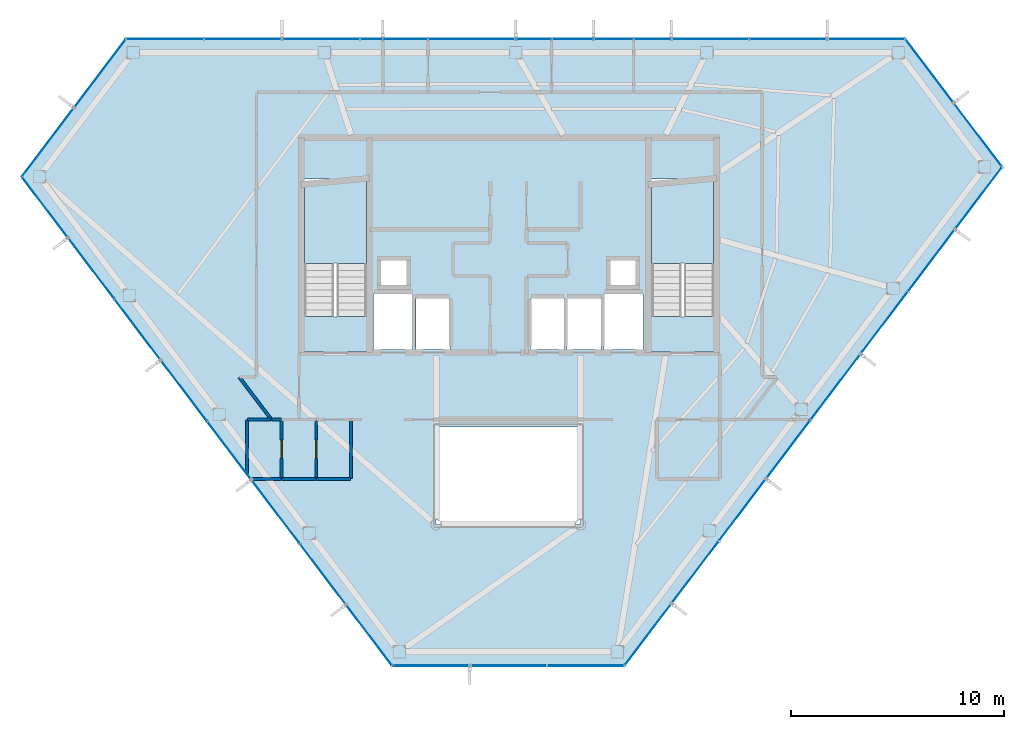
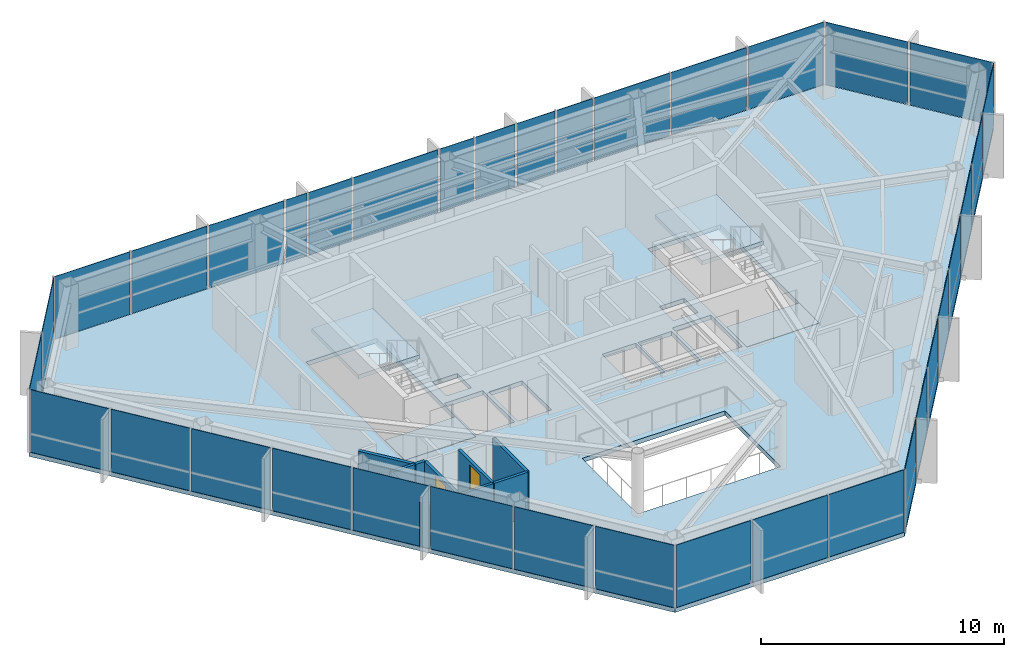
# One storey, part 21 of 25: 36 plates, 10 walls, 5 slabs, 2 doors, 2 openings, 8 elements without a shape of their own.
"""IFC4 building model written with IfcOpenShell, lengths in metres."""

from ifc_helpers import new_model, si_unit, direction, frame, frame_2d, origin, origin_2d, place, context, subcontext, project, spatial, polyline, rectangle, outline, extrude, material, layer, layer_set, type_object, element, fill, aggregate, save


model = new_model("IFC4")

# Units and contexts
model_context = context("Model", 3, precision=1e-05, world=origin(), true_north=direction((0.0, 1.0)))
body_context = subcontext(model_context, "Body", "Model", "MODEL_VIEW")
ifc_project = project(units=[si_unit("LENGTHUNIT", "METRE"), si_unit("AREAUNIT", "SQUARE_METRE"), si_unit("VOLUMEUNIT", "CUBIC_METRE"), si_unit("PLANEANGLEUNIT", "RADIAN"), si_unit("MASSUNIT", "GRAM", prefix="KILO")], contexts=[model_context])

# Site, building, storey
site_placement = place(None, origin())
site = spatial("IfcSite", under=ifc_project, at=site_placement, CompositionType="ELEMENT")
building_placement = place(site_placement, origin())
building = spatial("IfcBuilding", under=site, at=building_placement, Name="Zarrinselat Tower", CompositionType="ELEMENT")
storey_placement = place(building_placement, frame((0.0, 0.0, 242.760009765625)))
storey = spatial("IfcBuildingStorey", under=building, at=storey_placement, Name="L61", CompositionType="ELEMENT", Elevation=242.760009765625)

# Curtain wall, plates
ifc_material_1 = material(Name="Extruded Aluminium Alloy EN AW-6063 T6", Category="aluminium")
ifc_layer_1 = layer(ifc_material_1, 0.169921875)
ifc_layer_set_1 = layer_set([ifc_layer_1], Name="Extruded Aluminium Alloy EN AW-6063 T6")
curtain_wall_type = type_object("IfcCurtainWallType", Name="CWS-RES", PredefinedType="NOTDEFINED", material=ifc_layer_set_1)
curtain_wall_1_placement = place(storey_placement, origin())
curtain_wall_1 = element("IfcCurtainWall", 1, at=curtain_wall_1_placement, inside=storey, type_object=curtain_wall_type, Name="L61 Unitised Curtain Wall CW-L61-E01", PredefinedType="NOTDEFINED")
ifc_material_2 = material(Name="Double Low-E Laminated Solar Glass", Category="glass")
ifc_layer_2 = layer(ifc_material_2, 0.028076171875)
ifc_layer_set_2 = layer_set([ifc_layer_2], Name="Double Low-E Laminated Solar Glass")
plate_type = type_object("IfcPlateType", Name="PLT-CW-GL28", PredefinedType="CURTAIN_PANEL", material=ifc_layer_set_2)
plate_1_placement = place(storey_placement, frame((55.236083984375, 48.06103515625, 0.02001953125), z_axis=(0.0, 0.0, 1.0), x_axis=(-1.0, 0.0, 0.0)))
plate_1 = element("IfcPlate", 2, at=plate_1_placement, type_object=plate_type, Name="CW-L61-E01 Vision Glass Panel 1", PredefinedType="CURTAIN_PANEL", context=body_context, shape_type="SweptSolid", body=[
    extrude(rectangle(XDim=3.564697265625, YDim=0.028076171875, at=origin_2d()), origin(), (0.0, 0.0, 1.0), 3.139892578125),
])
plate_2_placement = place(storey_placement, frame((51.5712890625, 48.06103515625, 0.02001953125), z_axis=(0.0, 0.0, 1.0), x_axis=(-1.0, 0.0, 0.0)))
plate_2 = element("IfcPlate", 3, at=plate_2_placement, type_object=plate_type, Name="CW-L61-E01 Vision Glass Panel 2", PredefinedType="CURTAIN_PANEL", context=body_context, shape_type="SweptSolid", body=[
    extrude(rectangle(XDim=3.564697265625, YDim=0.028076171875, at=origin_2d()), origin(), (0.0, 0.0, 1.0), 3.139892578125),
])
plate_3_placement = place(storey_placement, frame((47.90673828125, 48.06103515625, 0.02001953125), z_axis=(0.0, 0.0, 1.0), x_axis=(-1.0, 0.0, 0.0)))
plate_3 = element("IfcPlate", 4, at=plate_3_placement, type_object=plate_type, Name="CW-L61-E01 Vision Glass Panel 3", PredefinedType="CURTAIN_PANEL", context=body_context, shape_type="SweptSolid", body=[
    extrude(rectangle(XDim=3.564697265625, YDim=0.028076171875, at=origin_2d()), origin(), (0.0, 0.0, 1.0), 3.139892578125),
])
plate_4_placement = place(storey_placement, frame((45.18701171875, 48.06103515625, 0.02001953125), z_axis=(0.0, 0.0, 1.0), x_axis=(-1.0, 0.0, 0.0)))
plate_4 = element("IfcPlate", 5, at=plate_4_placement, type_object=plate_type, Name="CW-L61-E01 Vision Glass Panel 4", PredefinedType="CURTAIN_PANEL", context=body_context, shape_type="SweptSolid", body=[
    extrude(rectangle(XDim=1.67431640625, YDim=0.028076171875, at=origin_2d()), origin(), (0.0, 0.0, 1.0), 3.139892578125),
])
plate_5_placement = place(storey_placement, frame((43.354736328125, 48.06103515625, 0.02001953125), z_axis=(0.0, 0.0, 1.0), x_axis=(-1.0, 0.0, 0.0)))
plate_5 = element("IfcPlate", 6, at=plate_5_placement, type_object=plate_type, Name="CW-L61-E01 Vision Glass Panel 5", PredefinedType="CURTAIN_PANEL", context=body_context, shape_type="SweptSolid", body=[
    extrude(rectangle(XDim=1.79052734375, YDim=0.028076171875, at=origin_2d()), origin(), (0.0, 0.0, 1.0), 3.139892578125),
])
plate_6_placement = place(storey_placement, frame((41.419677734375, 48.06103515625, 0.02001953125), z_axis=(0.0, 0.0, 1.0), x_axis=(-1.0, 0.0, 0.0)))
plate_6 = element("IfcPlate", 7, at=plate_6_placement, type_object=plate_type, Name="CW-L61-E01 Vision Glass Panel 6", PredefinedType="CURTAIN_PANEL", context=body_context, shape_type="SweptSolid", body=[
    extrude(rectangle(XDim=1.8798828125, YDim=0.028076171875, at=origin_2d()), origin(), (0.0, 0.0, 1.0), 3.139892578125),
])
plate_7_placement = place(storey_placement, frame((39.587158203125, 48.06103515625, 0.02001953125), z_axis=(0.0, 0.0, 1.0), x_axis=(-1.0, 0.0, 0.0)))
plate_7 = element("IfcPlate", 8, at=plate_7_placement, type_object=plate_type, Name="CW-L61-E01 Vision Glass Panel 7", PredefinedType="CURTAIN_PANEL", context=body_context, shape_type="SweptSolid", body=[
    extrude(rectangle(XDim=1.584716796875, YDim=0.028076171875, at=origin_2d()), origin(), (0.0, 0.0, 1.0), 3.139892578125),
])
plate_8_placement = place(storey_placement, frame((36.684326171875, 48.06103515625, 0.02001953125), z_axis=(0.0, 0.0, 1.0), x_axis=(-1.0, 0.0, 0.0)))
plate_8 = element("IfcPlate", 9, at=plate_8_placement, type_object=plate_type, Name="CW-L61-E01 Vision Glass Panel 8", PredefinedType="CURTAIN_PANEL", context=body_context, shape_type="SweptSolid", body=[
    extrude(rectangle(XDim=4.020751953125, YDim=0.028076171875, at=origin_2d()), origin(), (0.0, 0.0, 1.0), 3.139892578125),
])
plate_9_placement = place(storey_placement, frame((33.56201171875, 48.06103515625, 0.02001953125), z_axis=(0.0, 0.0, 1.0), x_axis=(-1.0, 0.0, 0.0)))
plate_9 = element("IfcPlate", 10, at=plate_9_placement, type_object=plate_type, Name="CW-L61-E01 Vision Glass Panel 9", PredefinedType="CURTAIN_PANEL", context=body_context, shape_type="SweptSolid", body=[
    extrude(rectangle(XDim=2.02392578125, YDim=0.028076171875, at=origin_2d()), origin(), (0.0, 0.0, 1.0), 3.139892578125),
])
plate_10_placement = place(storey_placement, frame((31.95751953125, 48.06103515625, 0.02001953125), z_axis=(0.0, 0.0, 1.0), x_axis=(-1.0, 0.0, 0.0)))
plate_10 = element("IfcPlate", 11, at=plate_10_placement, type_object=plate_type, Name="CW-L61-E01 Vision Glass Panel 10", PredefinedType="CURTAIN_PANEL", context=body_context, shape_type="SweptSolid", body=[
    extrude(rectangle(XDim=0.98486328125, YDim=0.028076171875, at=origin_2d()), origin(), (0.0, 0.0, 1.0), 3.139892578125),
])
plate_11_placement = place(storey_placement, frame((29.582763671875, 48.06103515625, 0.02001953125), z_axis=(0.0, 0.0, 1.0), x_axis=(-1.0, 0.0, 0.0)))
plate_11 = element("IfcPlate", 12, at=plate_11_placement, type_object=plate_type, Name="CW-L61-E01 Vision Glass Panel 11", PredefinedType="CURTAIN_PANEL", context=body_context, shape_type="SweptSolid", body=[
    extrude(rectangle(XDim=3.564697265625, YDim=0.028076171875, at=origin_2d()), origin(), (0.0, 0.0, 1.0), 3.139892578125),
])
plate_12_placement = place(storey_placement, frame((25.918212890625, 48.06103515625, 0.02001953125), z_axis=(0.0, 0.0, 1.0), x_axis=(-1.0, 0.0, 0.0)))
plate_12 = element("IfcPlate", 13, at=plate_12_placement, type_object=plate_type, Name="CW-L61-E01 Vision Glass Panel 12", PredefinedType="CURTAIN_PANEL", context=body_context, shape_type="SweptSolid", body=[
    extrude(rectangle(XDim=3.564697265625, YDim=0.028076171875, at=origin_2d()), origin(), (0.0, 0.0, 1.0), 3.139892578125),
])
plate_13_placement = place(storey_placement, frame((22.25341796875, 48.06103515625, 0.02001953125), z_axis=(0.0, 0.0, 1.0), x_axis=(-1.0, 0.0, 0.0)))
plate_13 = element("IfcPlate", 14, at=plate_13_placement, type_object=plate_type, Name="CW-L61-E01 Vision Glass Panel 13", PredefinedType="CURTAIN_PANEL", context=body_context, shape_type="SweptSolid", body=[
    extrude(rectangle(XDim=3.564697265625, YDim=0.028076171875, at=origin_2d()), origin(), (0.0, 0.0, 1.0), 3.139892578125),
])
aggregate(curtain_wall_1, [plate_1, plate_2, plate_3, plate_4, plate_5, plate_6, plate_7, plate_8, plate_9, plate_10, plate_11, plate_12, plate_13])

curtain_wall_2_placement = place(storey_placement, origin())
curtain_wall_2 = element("IfcCurtainWall", 15, at=curtain_wall_2_placement, inside=storey, type_object=curtain_wall_type, Name="L61 Unitised Curtain Wall CW-L61-E02", PredefinedType="NOTDEFINED")
plate_14_placement = place(storey_placement, frame((19.192626953125, 46.439697265625, 0.02001953125), z_axis=(0.0, 0.0, 1.0), x_axis=(-0.603859107785, -0.797091072554, 0.0)))
plate_14 = element("IfcPlate", 16, at=plate_14_placement, type_object=plate_type, Name="CW-L61-E02 Vision Glass Panel 1", PredefinedType="CURTAIN_PANEL", context=body_context, shape_type="SweptSolid", body=[
    extrude(rectangle(XDim=3.96826171875, YDim=0.028076171875, at=origin_2d()), origin(), (0.0, 0.0, 1.0), 3.139892578125),
])
plate_15_placement = place(storey_placement, frame((16.736083984375, 43.197021484375, 0.02001953125), z_axis=(0.0, 0.0, 1.0), x_axis=(-0.603859107785, -0.797091072554, 0.0)))
plate_15 = element("IfcPlate", 17, at=plate_15_placement, type_object=plate_type, Name="CW-L61-E02 Vision Glass Panel 2", PredefinedType="CURTAIN_PANEL", context=body_context, shape_type="SweptSolid", body=[
    extrude(rectangle(XDim=3.96826171875, YDim=0.028076171875, at=origin_2d()), origin(), (0.0, 0.0, 1.0), 3.139892578125),
])
aggregate(curtain_wall_2, [plate_14, plate_15])

curtain_wall_3_placement = place(storey_placement, origin())
curtain_wall_3 = element("IfcCurtainWall", 18, at=curtain_wall_3_placement, inside=storey, type_object=curtain_wall_type, Name="L61 Unitised Curtain Wall CW-L61-E03", PredefinedType="NOTDEFINED")
plate_16_placement = place(storey_placement, frame((16.597412109375, 40.137451171875, 0.02001953125), z_axis=(0.0, 0.0, 1.0), x_axis=(0.603857888062, -0.797091996588, 0.0)))
plate_16 = element("IfcPlate", 19, at=plate_16_placement, type_object=plate_type, Name="CW-L61-E03 Vision Glass Panel 1", PredefinedType="CURTAIN_PANEL", context=body_context, shape_type="SweptSolid", body=[
    extrude(rectangle(XDim=3.5087890625, YDim=0.028076171875, at=origin_2d()), origin(), (0.0, 0.0, 1.0), 3.139892578125),
])
plate_17_placement = place(storey_placement, frame((18.776611328125, 37.2607421875, 0.02001953125), z_axis=(0.0, 0.0, 1.0), x_axis=(0.603857888062, -0.797091996588, 0.0)))
plate_17 = element("IfcPlate", 20, at=plate_17_placement, type_object=plate_type, Name="CW-L61-E03 Vision Glass Panel 2", PredefinedType="CURTAIN_PANEL", context=body_context, shape_type="SweptSolid", body=[
    extrude(rectangle(XDim=3.5087890625, YDim=0.028076171875, at=origin_2d()), origin(), (0.0, 0.0, 1.0), 3.139892578125),
])
plate_18_placement = place(storey_placement, frame((20.955810546875, 34.384033203125, 0.02001953125), z_axis=(0.0, 0.0, 1.0), x_axis=(0.603857888062, -0.797091996588, 0.0)))
plate_18 = element("IfcPlate", 21, at=plate_18_placement, type_object=plate_type, Name="CW-L61-E03 Vision Glass Panel 3", PredefinedType="CURTAIN_PANEL", context=body_context, shape_type="SweptSolid", body=[
    extrude(rectangle(XDim=3.5087890625, YDim=0.028076171875, at=origin_2d()), origin(), (0.0, 0.0, 1.0), 3.139892578125),
])
plate_19_placement = place(storey_placement, frame((23.135009765625, 31.507568359375, 0.02001953125), z_axis=(0.0, 0.0, 1.0), x_axis=(0.603857888062, -0.797091996588, 0.0)))
plate_19 = element("IfcPlate", 22, at=plate_19_placement, type_object=plate_type, Name="CW-L61-E03 Vision Glass Panel 4", PredefinedType="CURTAIN_PANEL", context=body_context, shape_type="SweptSolid", body=[
    extrude(rectangle(XDim=3.5087890625, YDim=0.028076171875, at=origin_2d()), origin(), (0.0, 0.0, 1.0), 3.139892578125),
])
plate_20_placement = place(storey_placement, frame((25.2685546875, 28.69140625, 0.02001953125), z_axis=(0.0, 0.0, 1.0), x_axis=(0.603857888062, -0.797091996588, 0.0)))
plate_20 = element("IfcPlate", 23, at=plate_20_placement, type_object=plate_type, Name="CW-L61-E03 Vision Glass Panel 5", PredefinedType="CURTAIN_PANEL", context=body_context, shape_type="SweptSolid", body=[
    extrude(rectangle(XDim=3.356689453125, YDim=0.028076171875, at=origin_2d()), origin(), (0.0, 0.0, 1.0), 3.139892578125),
])
plate_21_placement = place(storey_placement, frame((27.44775390625, 25.81494140625, 0.02001953125), z_axis=(0.0, 0.0, 1.0), x_axis=(0.603857888062, -0.797091996588, 0.0)))
plate_21 = element("IfcPlate", 24, at=plate_21_placement, type_object=plate_type, Name="CW-L61-E03 Vision Glass Panel 6", PredefinedType="CURTAIN_PANEL", context=body_context, shape_type="SweptSolid", body=[
    extrude(rectangle(XDim=3.660888671875, YDim=0.028076171875, at=origin_2d()), origin(), (0.0, 0.0, 1.0), 3.139892578125),
])
plate_22_placement = place(storey_placement, frame((29.6728515625, 22.877685546875, 0.02001953125), z_axis=(0.0, 0.0, 1.0), x_axis=(0.603857888062, -0.797091996588, 0.0)))
plate_22 = element("IfcPlate", 25, at=plate_22_placement, type_object=plate_type, Name="CW-L61-E03 Vision Glass Panel 7", PredefinedType="CURTAIN_PANEL", context=body_context, shape_type="SweptSolid", body=[
    extrude(rectangle(XDim=3.5087890625, YDim=0.028076171875, at=origin_2d()), origin(), (0.0, 0.0, 1.0), 3.139892578125),
])
plate_23_placement = place(storey_placement, frame((31.852294921875, 20.0009765625, 0.02001953125), z_axis=(0.0, 0.0, 1.0), x_axis=(0.603857888062, -0.797091996588, 0.0)))
plate_23 = element("IfcPlate", 26, at=plate_23_placement, type_object=plate_type, Name="CW-L61-E03 Vision Glass Panel 8", PredefinedType="CURTAIN_PANEL", context=body_context, shape_type="SweptSolid", body=[
    extrude(rectangle(XDim=3.5087890625, YDim=0.028076171875, at=origin_2d()), origin(), (0.0, 0.0, 1.0), 3.139892578125),
])
aggregate(curtain_wall_3, [plate_16, plate_17, plate_18, plate_19, plate_20, plate_21, plate_22, plate_23])

curtain_wall_4_placement = place(storey_placement, origin())
curtain_wall_4 = element("IfcCurtainWall", 27, at=curtain_wall_4_placement, inside=storey, type_object=curtain_wall_type, Name="L61 Unitised Curtain Wall CW-L61-E04", PredefinedType="NOTDEFINED")
plate_24_placement = place(storey_placement, frame((34.76123046875, 18.562744140625, 0.02001953125), z_axis=(0.0, 0.0, 1.0), x_axis=(1.0, 0.0, 0.0)))
plate_24 = element("IfcPlate", 28, at=plate_24_placement, type_object=plate_type, Name="CW-L61-E04 Vision Glass Panel 1", PredefinedType="CURTAIN_PANEL", context=body_context, shape_type="SweptSolid", body=[
    extrude(rectangle(XDim=3.538818359375, YDim=0.028076171875, at=origin_2d()), origin(), (0.0, 0.0, 1.0), 3.139892578125),
])
plate_25_placement = place(storey_placement, frame((38.39990234375, 18.562744140625, 0.02001953125), z_axis=(0.0, 0.0, 1.0), x_axis=(1.0, 0.0, 0.0)))
plate_25 = element("IfcPlate", 29, at=plate_25_placement, type_object=plate_type, Name="CW-L61-E04 Vision Glass Panel 2", PredefinedType="CURTAIN_PANEL", context=body_context, shape_type="SweptSolid", body=[
    extrude(rectangle(XDim=3.538818359375, YDim=0.028076171875, at=origin_2d()), origin(), (0.0, 0.0, 1.0), 3.139892578125),
])
plate_26_placement = place(storey_placement, frame((42.038818359375, 18.562744140625, 0.02001953125), z_axis=(0.0, 0.0, 1.0), x_axis=(1.0, 0.0, 0.0)))
plate_26 = element("IfcPlate", 30, at=plate_26_placement, type_object=plate_type, Name="CW-L61-E04 Vision Glass Panel 3", PredefinedType="CURTAIN_PANEL", context=body_context, shape_type="SweptSolid", body=[
    extrude(rectangle(XDim=3.538818359375, YDim=0.028076171875, at=origin_2d()), origin(), (0.0, 0.0, 1.0), 3.139892578125),
])
aggregate(curtain_wall_4, [plate_24, plate_25, plate_26])

curtain_wall_5_placement = place(storey_placement, origin())
curtain_wall_5 = element("IfcCurtainWall", 31, at=curtain_wall_5_placement, inside=storey, type_object=curtain_wall_type, Name="L61 Unitised Curtain Wall CW-L61-E05", PredefinedType="NOTDEFINED")
plate_27_placement = place(storey_placement, frame((44.969482421875, 20.029541015625, 0.02001953125), z_axis=(0.0, 0.0, 1.0), x_axis=(0.603858472709, 0.797091553674, 0.0)))
plate_27 = element("IfcPlate", 32, at=plate_27_placement, type_object=plate_type, Name="CW-L61-E05 Vision Glass Panel 1", PredefinedType="CURTAIN_PANEL", context=body_context, shape_type="SweptSolid", body=[
    extrude(rectangle(XDim=3.580322265625, YDim=0.028076171875, at=origin_2d()), origin(), (0.0, 0.0, 1.0), 3.139892578125),
])
plate_28_placement = place(storey_placement, frame((47.191650390625, 22.962890625, 0.02001953125), z_axis=(0.0, 0.0, 1.0), x_axis=(0.603858472709, 0.797091553674, 0.0)))
plate_28 = element("IfcPlate", 33, at=plate_28_placement, type_object=plate_type, Name="CW-L61-E05 Vision Glass Panel 2", PredefinedType="CURTAIN_PANEL", context=body_context, shape_type="SweptSolid", body=[
    extrude(rectangle(XDim=3.580322265625, YDim=0.028076171875, at=origin_2d()), origin(), (0.0, 0.0, 1.0), 3.139892578125),
])
plate_29_placement = place(storey_placement, frame((49.4140625, 25.896484375, 0.02001953125), z_axis=(0.0, 0.0, 1.0), x_axis=(0.603858472709, 0.797091553674, 0.0)))
plate_29 = element("IfcPlate", 34, at=plate_29_placement, type_object=plate_type, Name="CW-L61-E05 Vision Glass Panel 3", PredefinedType="CURTAIN_PANEL", context=body_context, shape_type="SweptSolid", body=[
    extrude(rectangle(XDim=3.580322265625, YDim=0.028076171875, at=origin_2d()), origin(), (0.0, 0.0, 1.0), 3.139892578125),
])
plate_30_placement = place(storey_placement, frame((51.567138671875, 28.738525390625, 0.02001953125), z_axis=(0.0, 0.0, 1.0), x_axis=(0.603858472709, 0.797091553674, 0.0)))
plate_30 = element("IfcPlate", 35, at=plate_30_placement, type_object=plate_type, Name="CW-L61-E05 Vision Glass Panel 4", PredefinedType="CURTAIN_PANEL", context=body_context, shape_type="SweptSolid", body=[
    extrude(rectangle(XDim=3.3505859375, YDim=0.028076171875, at=origin_2d()), origin(), (0.0, 0.0, 1.0), 3.139892578125),
])
plate_31_placement = place(storey_placement, frame((53.78955078125, 31.672119140625, 0.02001953125), z_axis=(0.0, 0.0, 1.0), x_axis=(0.603858472709, 0.797091553674, 0.0)))
plate_31 = element("IfcPlate", 36, at=plate_31_placement, type_object=plate_type, Name="CW-L61-E05 Vision Glass Panel 5", PredefinedType="CURTAIN_PANEL", context=body_context, shape_type="SweptSolid", body=[
    extrude(rectangle(XDim=3.809814453125, YDim=0.028076171875, at=origin_2d()), origin(), (0.0, 0.0, 1.0), 3.139892578125),
])
plate_32_placement = place(storey_placement, frame((56.081298828125, 34.697021484375, 0.02001953125), z_axis=(0.0, 0.0, 1.0), x_axis=(0.603858472709, 0.797091553674, 0.0)))
plate_32 = element("IfcPlate", 37, at=plate_32_placement, type_object=plate_type, Name="CW-L61-E05 Vision Glass Panel 6", PredefinedType="CURTAIN_PANEL", context=body_context, shape_type="SweptSolid", body=[
    extrude(rectangle(XDim=3.580322265625, YDim=0.028076171875, at=origin_2d()), origin(), (0.0, 0.0, 1.0), 3.139892578125),
])
plate_33_placement = place(storey_placement, frame((58.3037109375, 37.630615234375, 0.02001953125), z_axis=(0.0, 0.0, 1.0), x_axis=(0.603858472709, 0.797091553674, 0.0)))
plate_33 = element("IfcPlate", 38, at=plate_33_placement, type_object=plate_type, Name="CW-L61-E05 Vision Glass Panel 7", PredefinedType="CURTAIN_PANEL", context=body_context, shape_type="SweptSolid", body=[
    extrude(rectangle(XDim=3.580322265625, YDim=0.028076171875, at=origin_2d()), origin(), (0.0, 0.0, 1.0), 3.139892578125),
])
plate_34_placement = place(storey_placement, frame((60.52587890625, 40.56396484375, 0.02001953125), z_axis=(0.0, 0.0, 1.0), x_axis=(0.603858472709, 0.797091553674, 0.0)))
plate_34 = element("IfcPlate", 39, at=plate_34_placement, type_object=plate_type, Name="CW-L61-E05 Vision Glass Panel 8", PredefinedType="CURTAIN_PANEL", context=body_context, shape_type="SweptSolid", body=[
    extrude(rectangle(XDim=3.580322265625, YDim=0.028076171875, at=origin_2d()), origin(), (0.0, 0.0, 1.0), 3.139892578125),
])
aggregate(curtain_wall_5, [plate_27, plate_28, plate_29, plate_30, plate_31, plate_32, plate_33, plate_34])

curtain_wall_6_placement = place(storey_placement, origin())
curtain_wall_6 = element("IfcCurtainWall", 40, at=curtain_wall_6_placement, inside=storey, type_object=curtain_wall_type, Name="L61 Unitised Curtain Wall CW-L61-E06", PredefinedType="NOTDEFINED")
plate_35_placement = place(storey_placement, frame((60.4951171875, 43.538330078125, 0.02001953125), z_axis=(0.0, 0.0, 1.0), x_axis=(-0.603865322642, 0.797086364274, 0.0)))
plate_35 = element("IfcPlate", 41, at=plate_35_placement, type_object=plate_type, Name="CW-L61-E06 Vision Glass Panel 1", PredefinedType="CURTAIN_PANEL", context=body_context, shape_type="SweptSolid", body=[
    extrude(rectangle(XDim=3.6826171875, YDim=0.028076171875, at=origin_2d()), origin(), (0.0, 0.0, 1.0), 3.139892578125),
])
plate_36_placement = place(storey_placement, frame((58.210693359375, 46.553466796875, 0.02001953125), z_axis=(0.0, 0.0, 1.0), x_axis=(-0.603865322642, 0.797086364274, 0.0)))
plate_36 = element("IfcPlate", 42, at=plate_36_placement, type_object=plate_type, Name="CW-L61-E06 Vision Glass Panel 2", PredefinedType="CURTAIN_PANEL", context=body_context, shape_type="SweptSolid", body=[
    extrude(rectangle(XDim=3.6826171875, YDim=0.028076171875, at=origin_2d()), origin(), (0.0, 0.0, 1.0), 3.139892578125),
])
aggregate(curtain_wall_6, [plate_35, plate_36])

# Slabs
ifc_material_3 = material(Name="Concrete C40/50", Category="concrete")
ifc_layer_3 = layer(ifc_material_3, 0.219970703125)
ifc_layer_set_3 = layer_set([ifc_layer_3], Name="Concrete C40/50")
slab_type_1 = type_object("IfcSlabType", Name="SLB-FLOOR-220-SL-RS220", PredefinedType="FLOOR", material=ifc_layer_set_3)
slab_1_placement = place(storey_placement, frame((0.0, 0.0, -0.219970703125)))
element("IfcSlab", 43, at=slab_1_placement, inside=storey, type_object=slab_type_1, Name="L61 Primary Structural Slab", PredefinedType="FLOOR", context=body_context, shape_type="SweptSolid", body=[
    extrude(outline(polyline([(57.068603515625, 48.06103515625), (20.4208984375, 48.06103515625), (15.5078125, 41.57568359375), (32.94189453125, 18.562744140625), (43.858154296875, 18.562744140625), (61.63720703125, 42.03076171875), (57.068603515625, 48.06103515625)]), holes=[polyline([(41.800048828125, 25.199951171875), (35.0, 25.199951171875), (35.0, 29.800048828125), (41.800048828125, 29.800048828125), (41.800048828125, 25.199951171875)]), polyline([(35.64990234375, 33.449951171875), (34.050048828125, 33.449951171875), (34.050048828125, 35.85009765625), (35.64990234375, 35.85009765625), (35.64990234375, 33.449951171875)]), polyline([(41.050048828125, 33.449951171875), (39.449951171875, 33.449951171875), (39.449951171875, 35.85009765625), (41.050048828125, 35.85009765625), (41.050048828125, 33.449951171875)]), polyline([(41.14990234375, 33.449951171875), (41.14990234375, 35.85009765625), (42.75, 35.85009765625), (42.75, 33.449951171875), (41.14990234375, 33.449951171875)]), polyline([(32.06005859375, 33.449951171875), (32.06005859375, 36.050048828125), (33.89990234375, 36.050048828125), (33.89990234375, 33.449951171875), (32.06005859375, 33.449951171875)]), polyline([(44.739990234375, 33.449951171875), (42.89990234375, 33.449951171875), (42.89990234375, 36.050048828125), (44.739990234375, 36.050048828125), (44.739990234375, 33.449951171875)]), polyline([(33.60009765625, 36.47998046875), (32.419921875, 36.47998046875), (32.419921875, 37.639892578125), (33.60009765625, 37.639892578125), (33.60009765625, 36.47998046875)]), polyline([(44.3798828125, 36.47998046875), (43.199951171875, 36.47998046875), (43.199951171875, 37.639892578125), (44.3798828125, 37.639892578125), (44.3798828125, 36.47998046875)]), polyline([(31.985107421875, 33.324951171875), (28.60498046875, 33.324951171875), (28.60498046875, 41.47509765625), (31.985107421875, 41.47509765625), (31.985107421875, 33.324951171875)]), polyline([(48.324951171875, 33.324951171875), (44.875, 33.324951171875), (44.875, 41.47509765625), (48.324951171875, 41.47509765625), (48.324951171875, 33.324951171875)])]), origin(), (0.0, 0.0, 1.0), 0.219970703125),
])
slab_2_placement = place(storey_placement, frame((0.0, 0.0, -0.219970703125)))
element("IfcSlab", 44, at=slab_2_placement, inside=storey, type_object=slab_type_1, Name="L61 Stair ST-1-FL1 Structural Floor Landing", PredefinedType="FLOOR", context=body_context, shape_type="SweptSolid", body=[
    extrude(outline(polyline([(31.97998046875, 33.330078125), (31.97998046875, 35.0), (28.610107421875, 35.0), (28.610107421875, 33.330078125), (31.97998046875, 33.330078125)])), origin(), (0.0, 0.0, 1.0), 0.219970703125),
])
slab_3_placement = place(storey_placement, frame((0.0, 0.0, -0.219970703125)))
element("IfcSlab", 45, at=slab_3_placement, inside=storey, type_object=slab_type_1, Name="L61 Stair ST-2-FL1 Structural Floor Landing", PredefinedType="FLOOR", context=body_context, shape_type="SweptSolid", body=[
    extrude(outline(polyline([(48.320068359375, 33.330078125), (48.320068359375, 35.0), (44.8798828125, 35.0), (44.8798828125, 33.330078125), (48.320068359375, 33.330078125)])), origin(), (0.0, 0.0, 1.0), 0.219970703125),
])

# Stair, slab
ifc_material_4 = material(Name="Concrete C40/50", Category="concrete")
stair_type = type_object("IfcStairType", Name="STR-CORE-155", PredefinedType="HALF_TURN_STAIR", material=ifc_material_4)
stair_1_placement = place(storey_placement, origin())
stair_1 = element("IfcStair", 46, at=stair_1_placement, inside=storey, type_object=stair_type, Name="L61 Core Exit Stair 1", PredefinedType="HALF_TURN_STAIR")
ifc_material_5 = material(Name="Concrete C40/50", Category="concrete")
ifc_layer_4 = layer(ifc_material_5, 0.18994140625)
ifc_layer_set_4 = layer_set([ifc_layer_4], Name="Concrete C40/50")
slab_type_2 = type_object("IfcSlabType", Name="SLB-LND-190", PredefinedType="LANDING", material=ifc_layer_set_4)
slab_4_placement = place(storey_placement, frame((0.0, 0.0, 1.5)))
slab_4 = element("IfcSlab", 47, at=slab_4_placement, type_object=slab_type_2, Name="ST-1 landing 1", PredefinedType="LANDING", context=body_context, shape_type="SweptSolid", body=[
    extrude(outline(polyline([(31.719970703125, 37.47998046875), (31.719970703125, 41.35009765625), (28.800048828125, 41.35009765625), (28.800048828125, 37.47998046875), (31.719970703125, 37.47998046875)])), origin(), (0.0, 0.0, 1.0), 0.199951171875),
])
aggregate(stair_1, [slab_4])

stair_2_placement = place(storey_placement, origin())
stair_2 = element("IfcStair", 48, at=stair_2_placement, inside=storey, type_object=stair_type, Name="L61 Core Exit Stair 2", PredefinedType="HALF_TURN_STAIR")
slab_5_placement = place(storey_placement, frame((0.0, 0.0, 1.5)))
slab_5 = element("IfcSlab", 49, at=slab_5_placement, type_object=slab_type_2, Name="ST-2 landing 1", PredefinedType="LANDING", context=body_context, shape_type="SweptSolid", body=[
    extrude(outline(polyline([(48.06005859375, 37.47998046875), (48.06005859375, 41.35009765625), (45.139892578125, 41.35009765625), (45.139892578125, 37.47998046875), (48.06005859375, 37.47998046875)])), origin(), (0.0, 0.0, 1.0), 0.199951171875),
])
aggregate(stair_2, [slab_5])

# Walls
ifc_material_6 = material(Name="Fire-Rated Gypsum Board Partition", Category="gypsum")
ifc_layer_5 = layer(ifc_material_6, 0.14990234375)
ifc_layer_set_5 = layer_set([ifc_layer_5], Name="Fire-Rated Gypsum Board Partition")
wall_type_1 = type_object("IfcWallType", Name="WAL-PART-EI60", PredefinedType="PARTITIONING", material=ifc_layer_set_5)
wall_1_placement = place(storey_placement, frame((27.269775390625, 30.14990234375, 0.0), z_axis=(0.0, 0.0, 1.0), x_axis=(1.0, 0.0, 0.0)))
element("IfcWall", 50, at=wall_1_placement, inside=storey, type_object=wall_type_1, Name="L61 Partition Wall 26", PredefinedType="PARTITIONING", context=body_context, shape_type="SweptSolid", body=[
    extrude(rectangle(XDim=0.455322265625, YDim=0.14990234375, at=frame_2d((0.2275390625, 0.0))), origin(), (0.0, 0.0, 1.0), 2.235107421875),
])
wall_2_placement = place(storey_placement, frame((25.74658203125, 32.134033203125, 0.0), z_axis=(0.0, 0.0, 1.0), x_axis=(0.603931928578, -0.797035899847, 0.0)))
element("IfcWall", 51, at=wall_2_placement, inside=storey, type_object=wall_type_1, Name="L61 Partition Wall 29", PredefinedType="PARTITIONING", context=body_context, shape_type="SweptSolid", body=[
    extrude(rectangle(XDim=2.46923828125, YDim=0.14990234375, at=frame_2d((1.234619140625, 0.0))), origin(), (0.0, 0.0, 1.0), 2.235107421875),
])
ifc_material_7 = material(Name="Fire-Rated Gypsum Board Partition", Category="gypsum")
ifc_layer_6 = layer(ifc_material_7, 0.1201171875)
ifc_layer_set_6 = layer_set([ifc_layer_6], Name="Fire-Rated Gypsum Board Partition")
wall_type_2 = type_object("IfcWallType", Name="WAL-PART-STD", PredefinedType="PARTITIONING", material=ifc_layer_set_6)
wall_3_placement = place(storey_placement, frame((27.75, 27.35009765625, 0.0), z_axis=(0.0, 0.0, 1.0), x_axis=(1.0, 0.0, 0.0)))
element("IfcWall", 52, at=wall_3_placement, inside=storey, type_object=wall_type_2, Name="L61 Partition Wall 51", PredefinedType="PARTITIONING", context=body_context, shape_type="SweptSolid", body=[
    extrude(rectangle(XDim=1.590087890625, YDim=0.1201171875, at=frame_2d((0.794921875, 0.0))), origin(), (0.0, 0.0, 1.0), 2.235107421875),
])

# Wall, opening, door
ifc_material_8 = material(Name="Fire-Rated Gypsum Board Partition", Category="gypsum")
ifc_layer_7 = layer(ifc_material_8, 0.135009765625)
ifc_layer_set_7 = layer_set([ifc_layer_7], Name="Fire-Rated Gypsum Board Partition")
wall_type_3 = type_object("IfcWallType", Name="WAL-PART-WET", PredefinedType="PARTITIONING", material=ifc_layer_set_7)
wall_4_placement = place(storey_placement, frame((29.360107421875, 27.3701171875, 0.0), z_axis=(0.0, 0.0, 1.0), x_axis=(0.0, 1.0, 0.0)))
wall_4 = element("IfcWall", 53, at=wall_4_placement, inside=storey, type_object=wall_type_3, Name="L61 Partition Wall 44", PredefinedType="PARTITIONING", context=body_context, shape_type="SweptSolid", body=[
    extrude(rectangle(XDim=2.759765625, YDim=0.135009765625, at=frame_2d((1.3798828125, 0.0))), origin(), (0.0, 0.0, 1.0), 2.235107421875),
])
opening_1_placement = place(wall_4_placement, frame((0.949951171875, 0.0, 0.0)))
opening_1 = element("IfcOpeningElement", 54, at=opening_1_placement, cuts=wall_4, Name="Opening ID-06", PredefinedType="OPENING", context=body_context, shape_type="SweptSolid", body=[
    extrude(rectangle(XDim=0.860107421875, YDim=2.050048828125, at=frame_2d((0.43017578125, 1.02490234375))), frame((0.0, 0.077392578125, 0.0), z_axis=(0.0, -1.0, 0.0), x_axis=(1.0, 0.0, 0.0)), (0.0, 0.0, 1.0), 0.155029296875),
])
ifc_material_9 = material(Name="Extruded Aluminium Alloy EN AW-6063 T6", Category="aluminium")
door_type = type_object("IfcDoorType", Name="DR-INT-WET-900", OperationType="NOTDEFINED", PredefinedType="DOOR", material=ifc_material_9)
door_1_placement = place(opening_1_placement, origin())
door_1 = element("IfcDoor", 55, at=door_1_placement, inside=storey, type_object=door_type, Name="L61 Interior Door P44", OperationType="SINGLE_SWING_RIGHT", OverallHeight=2.050048828125, OverallWidth=0.860107421875, PredefinedType="DOOR", context=body_context, shape_type="SweptSolid", body=[
    extrude(rectangle(XDim=0.860107421875, YDim=2.050048828125, at=frame_2d((0.43017578125, 1.02490234375))), frame((0.0, 0.02490234375, 0.0), z_axis=(0.0, -1.0, 0.0), x_axis=(1.0, 0.0, 0.0)), (0.0, 0.0, 1.0), 0.050048828125),
])
fill(opening_1, door_1)

# Walls
wall_5_placement = place(storey_placement, frame((29.3798828125, 27.35009765625, 0.0), z_axis=(0.0, 0.0, 1.0), x_axis=(1.0, 0.0, 0.0)))
element("IfcWall", 56, at=wall_5_placement, inside=storey, type_object=wall_type_3, Name="L61 Partition Wall 45", PredefinedType="PARTITIONING", context=body_context, shape_type="SweptSolid", body=[
    extrude(rectangle(XDim=1.60009765625, YDim=0.135009765625, at=frame_2d((0.800048828125, 0.0))), origin(), (0.0, 0.0, 1.0), 2.235107421875),
])
wall_6_placement = place(storey_placement, frame((31.0, 27.3701171875, 0.0), z_axis=(0.0, 0.0, 1.0), x_axis=(0.0, 1.0, 0.0)))
element("IfcWall", 57, at=wall_6_placement, inside=storey, type_object=wall_type_3, Name="L61 Partition Wall 46", PredefinedType="PARTITIONING", context=body_context, shape_type="SweptSolid", body=[
    extrude(rectangle(XDim=2.759765625, YDim=0.135009765625, at=frame_2d((1.3798828125, 0.0))), origin(), (0.0, 0.0, 1.0), 2.235107421875),
])

# Wall, opening, door
wall_7_placement = place(storey_placement, frame((27.72998046875, 27.3701171875, 0.0), z_axis=(0.0, 0.0, 1.0), x_axis=(0.0, 1.0, 0.0)))
wall_7 = element("IfcWall", 58, at=wall_7_placement, inside=storey, type_object=wall_type_3, Name="L61 Partition Wall 47", PredefinedType="PARTITIONING", context=body_context, shape_type="SweptSolid", body=[
    extrude(rectangle(XDim=2.759765625, YDim=0.135009765625, at=frame_2d((1.3798828125, 0.0))), origin(), (0.0, 0.0, 1.0), 2.235107421875),
])
opening_2_placement = place(wall_7_placement, frame((0.949951171875, 0.0, 0.0)))
opening_2 = element("IfcOpeningElement", 59, at=opening_2_placement, cuts=wall_7, Name="Opening ID-06", PredefinedType="OPENING", context=body_context, shape_type="SweptSolid", body=[
    extrude(rectangle(XDim=0.860107421875, YDim=2.050048828125, at=frame_2d((0.43017578125, 1.02490234375))), frame((0.0, 0.077392578125, 0.0), z_axis=(0.0, -1.0, 0.0), x_axis=(1.0, 0.0, 0.0)), (0.0, 0.0, 1.0), 0.155029296875),
])
door_2_placement = place(opening_2_placement, origin())
door_2 = element("IfcDoor", 60, at=door_2_placement, inside=storey, type_object=door_type, Name="L61 Interior Door P47", OperationType="SINGLE_SWING_LEFT", OverallHeight=2.050048828125, OverallWidth=0.860107421875, PredefinedType="DOOR", context=body_context, shape_type="SweptSolid", body=[
    extrude(rectangle(XDim=0.860107421875, YDim=2.050048828125, at=frame_2d((0.43017578125, 1.02490234375))), frame((0.0, 0.02490234375, 0.0), z_axis=(0.0, -1.0, 0.0), x_axis=(1.0, 0.0, 0.0)), (0.0, 0.0, 1.0), 0.050048828125),
])
fill(opening_2, door_2)

# Walls
wall_8_placement = place(storey_placement, frame((26.2998046875, 27.35009765625, 0.0), z_axis=(0.0, 0.0, 1.0), x_axis=(1.0, 0.0, 0.0)))
element("IfcWall", 61, at=wall_8_placement, inside=storey, type_object=wall_type_3, Name="L61 Partition Wall 48", PredefinedType="PARTITIONING", context=body_context, shape_type="SweptSolid", body=[
    extrude(rectangle(XDim=1.41015625, YDim=0.135009765625, at=frame_2d((0.705078125, 0.0))), origin(), (0.0, 0.0, 1.0), 2.235107421875),
])
wall_9_placement = place(storey_placement, frame((26.10009765625, 27.60888671875, 0.0), z_axis=(0.0, 0.0, 1.0), x_axis=(0.0, 1.0, 0.0)))
element("IfcWall", 62, at=wall_9_placement, inside=storey, type_object=wall_type_3, Name="L61 Partition Wall 49", PredefinedType="PARTITIONING", context=body_context, shape_type="SweptSolid", body=[
    extrude(rectangle(XDim=2.52099609375, YDim=0.135009765625, at=frame_2d((1.260498046875, 0.0))), origin(), (0.0, 0.0, 1.0), 2.235107421875),
])
wall_10_placement = place(storey_placement, frame((26.1201171875, 30.14990234375, 0.0), z_axis=(0.0, 0.0, 1.0), x_axis=(1.0, 0.0, 0.0)))
element("IfcWall", 63, at=wall_10_placement, inside=storey, type_object=wall_type_3, Name="L61 Partition Wall 50", PredefinedType="PARTITIONING", context=body_context, shape_type="SweptSolid", body=[
    extrude(rectangle(XDim=1.109619140625, YDim=0.135009765625, at=frame_2d((0.5546875, 0.0))), origin(), (0.0, 0.0, 1.0), 2.235107421875),
])

save(model, "model.ifc")
